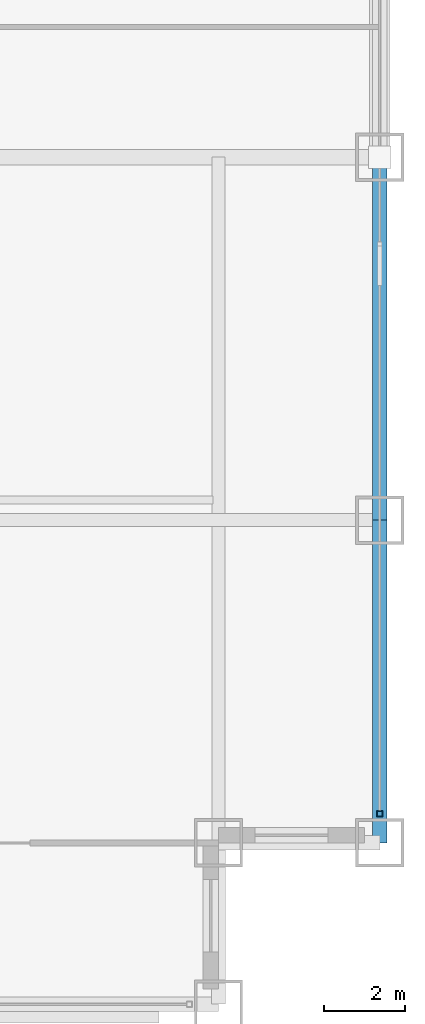
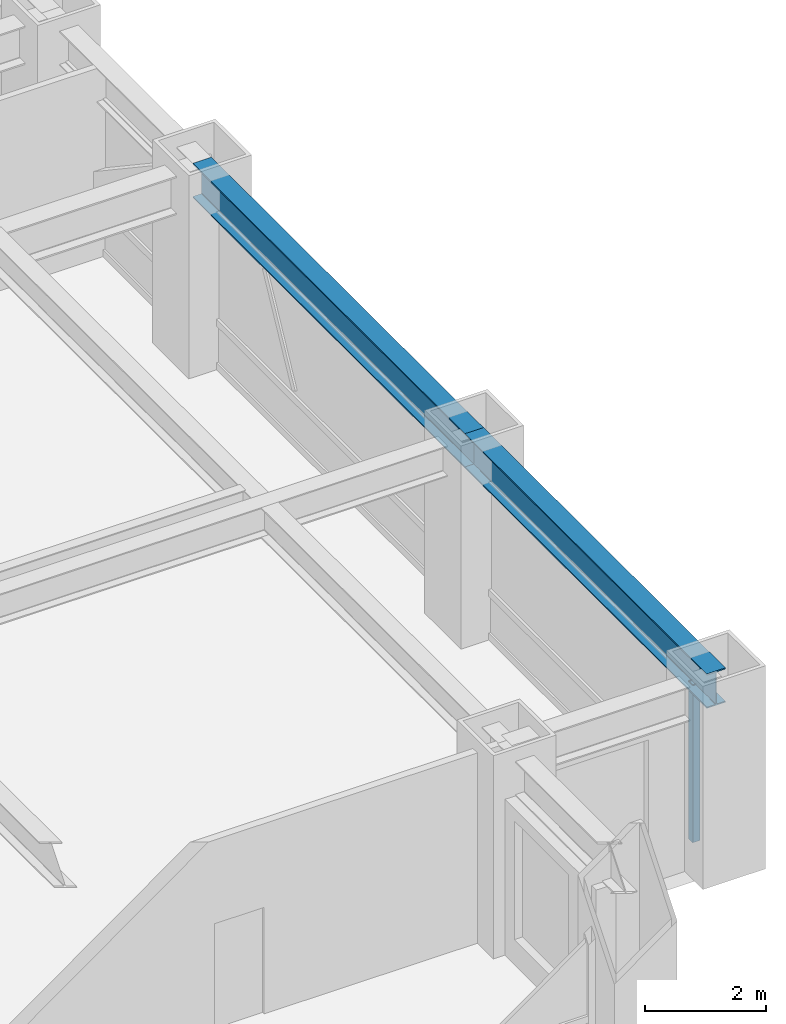
# One storey, part 12 of 32: 2 beams, 1 member, 1 element without a shape of its own.
"""IFC4 building model written with IfcOpenShell, lengths in metres."""

import ifcopenshell
import ifcopenshell.guid

model = None  # the IFC model being written
_history = None  # IfcOwnerHistory: only IFC2X3 demands one
_inside = {}  # id of a spatial element -> (the spatial element, [elements in it])
_under = {}  # id of a project, library or spatial element -> (it, [spatial elements below it])
_declared = {}  # id of a project -> (the project, [libraries it declares])
_typed = {}  # id of a type object -> (the type object, [elements of that type])
_made_of = {}  # id of a material, layer set ... -> (it, [elements and type objects made of it])


def new_model(schema):
    """Start an empty IFC model of exactly this schema.

    Asked for "IFC4X3", IfcOpenShell would pick the latest addendum, in which some entities
    have other attributes; the version numbers below select the first issue.
    IFC2X3 requires an IfcOwnerHistory on every rooted entity: one is made here for all.
    """
    global model, _history
    if schema == "IFC4X3":
        model = ifcopenshell.file(schema_version=(4, 3, 0, 0))
    else:
        model = ifcopenshell.file(schema=schema)
    _inside.clear()
    _under.clear()
    _declared.clear()
    _typed.clear()
    _made_of.clear()
    _history = None
    if model.schema == "IFC2X3":
        org = make("IfcOrganization", Name="unknown")
        user = make(
            "IfcPersonAndOrganization",
            ThePerson=make("IfcPerson", FamilyName="unknown"),
            TheOrganization=org,
        )
        app = make(
            "IfcApplication",
            ApplicationDeveloper=org,
            Version="unknown",
            ApplicationFullName="unknown",
            ApplicationIdentifier="unknown",
        )
        _history = make(
            "IfcOwnerHistory",
            OwningUser=user,
            OwningApplication=app,
            ChangeAction="ADDED",
            CreationDate=0,
        )
    return model


def make(cls, **values):
    """One entity of the class cls with the attributes given. An attribute that is None is left unset."""
    return model.create_entity(
        cls, **{name: value for name, value in values.items() if value is not None}
    )


def rooted(cls, **values):
    """An entity with a GlobalId (a new one), such as an element, a storey or a relation."""
    return make(cls, GlobalId=ifcopenshell.guid.new(), OwnerHistory=_history, **values)


def si_unit(unit_type, name, prefix=None):
    """IfcSIUnit, for example si_unit("LENGTHUNIT", "METRE", prefix="MILLI")."""
    return make("IfcSIUnit", UnitType=unit_type, Prefix=prefix, Name=name)


def assignment(units):
    """IfcUnitAssignment: the units of a project."""
    return None if units is None else make("IfcUnitAssignment", Units=units)


def point(xyz):
    """IfcCartesianPoint."""
    return None if xyz is None else make("IfcCartesianPoint", Coordinates=xyz)


def direction(xyz):
    """IfcDirection."""
    return None if xyz is None else make("IfcDirection", DirectionRatios=xyz)


def frame(location, z_axis=None, x_axis=None):
    """IfcAxis2Placement3D, a coordinate frame: its origin and axes. An axis left out is left unset."""
    return make(
        "IfcAxis2Placement3D",
        Location=point(location),
        Axis=direction(z_axis),
        RefDirection=direction(x_axis),
    )


def frame_2d(location, x_axis=None):
    """IfcAxis2Placement2D, a coordinate frame in the plane: its origin and x axis."""
    return make(
        "IfcAxis2Placement2D", Location=point(location), RefDirection=direction(x_axis)
    )


def origin():
    """The frame at (0, 0, 0) with its axes left unset."""
    return frame((0.0, 0.0, 0.0))


def origin_2d():
    """The frame at (0, 0) in the plane with its x axis left unset."""
    return frame_2d((0.0, 0.0))


def place(relative_to, where):
    """IfcLocalPlacement: puts the frame where relative to a parent placement (None: the world)."""
    return make(
        "IfcLocalPlacement", PlacementRelTo=relative_to, RelativePlacement=where
    )


def context(
    kind, dimensions, precision=None, world=None, true_north=None, identifier=None
):
    """IfcGeometricRepresentationContext, for example the 3D "Model" context."""
    return make(
        "IfcGeometricRepresentationContext",
        ContextIdentifier=identifier,
        ContextType=kind,
        CoordinateSpaceDimension=dimensions,
        Precision=precision,
        WorldCoordinateSystem=world,
        TrueNorth=true_north,
    )


def subcontext(parent, identifier, kind, view, scale=None):
    """IfcGeometricRepresentationSubContext, for example "Body" below "Model"."""
    return make(
        "IfcGeometricRepresentationSubContext",
        ContextIdentifier=identifier,
        ContextType=kind,
        ParentContext=parent,
        TargetScale=scale,
        TargetView=view,
    )


def project(units=None, contexts=None):
    """IfcProject with its units and contexts."""
    return rooted(
        "IfcProject",
        Name="project",
        RepresentationContexts=contexts,
        UnitsInContext=assignment(units),
    )


def spatial(cls, under=None, at=None, **own):
    """A site, building, storey or space (cls), placed at a placement, below another one or the project."""
    s = rooted(cls, ObjectPlacement=at, **own)
    if under is not None:
        _under.setdefault(under.id(), (under, []))[1].append(s)
    return s


def profile(cls, at=None, kind="AREA", **sizes):
    """A parametric profile (cls). Its sizes go by their IFC names, for example OverallWidth=200.0."""
    return make(cls, ProfileType=kind, Position=at, **sizes)


def hollow_rectangle(**sizes):
    """IfcRectangleHollowProfileDef."""
    return profile("IfcRectangleHollowProfileDef", **sizes)


def i_section(**sizes):
    """IfcIShapeProfileDef."""
    return profile("IfcIShapeProfileDef", **sizes)


def extrude(swept, where, along, depth):
    """IfcExtrudedAreaSolid: the profile swept, set in the frame where, extruded along a direction by depth."""
    return make(
        "IfcExtrudedAreaSolid",
        SweptArea=swept,
        Position=where,
        ExtrudedDirection=direction(along),
        Depth=depth,
    )


def shape(context_of_items, identifier, shape_type, items):
    """IfcShapeRepresentation: the items that make up one representation, for example the "Body"."""
    return make(
        "IfcShapeRepresentation",
        ContextOfItems=context_of_items,
        RepresentationIdentifier=identifier,
        RepresentationType=shape_type,
        Items=items,
    )


def source(mapping_origin, context_of_items, identifier, shape_type, items):
    """IfcRepresentationMap: a shape defined once, which mapped items show again and again."""
    return make(
        "IfcRepresentationMap",
        MappingOrigin=mapping_origin,
        MappedRepresentation=shape(context_of_items, identifier, shape_type, items),
    )


def transform(
    local_origin,
    x_axis=None,
    y_axis=None,
    z_axis=None,
    scale=None,
    scale2=None,
    scale3=None,
    uniform=True,
):
    """IfcCartesianTransformationOperator3D, or its non-uniform kind. x_axis, y_axis, z_axis: its Axis1, 2, 3."""
    if uniform:
        return make(
            "IfcCartesianTransformationOperator3D",
            Axis1=direction(x_axis),
            Axis2=direction(y_axis),
            LocalOrigin=point(local_origin),
            Scale=scale,
            Axis3=direction(z_axis),
        )
    return make(
        "IfcCartesianTransformationOperator3DnonUniform",
        Axis1=direction(x_axis),
        Axis2=direction(y_axis),
        LocalOrigin=point(local_origin),
        Scale=scale,
        Axis3=direction(z_axis),
        Scale2=scale2,
        Scale3=scale3,
    )


def mapped(mapping_source, mapping_target):
    """IfcMappedItem: shows the shape of a source again, moved by a transform."""
    return make(
        "IfcMappedItem", MappingSource=mapping_source, MappingTarget=mapping_target
    )


def material(Name=None, Category=None):
    """IfcMaterial."""
    return make("IfcMaterial", Name=Name, Category=Category)


def material_profile(
    of_material, cross_section, Name=None, Category=None, Priority=None
):
    """IfcMaterialProfile: a cross section and its material."""
    return make(
        "IfcMaterialProfile",
        Name=Name,
        Material=of_material,
        Profile=cross_section,
        Priority=Priority,
        Category=Category,
    )


def profile_set(profiles, Name=None, composite=None):
    """IfcMaterialProfileSet."""
    return make(
        "IfcMaterialProfileSet",
        Name=Name,
        MaterialProfiles=profiles,
        CompositeProfile=composite,
    )


def made_of(thing, what):
    """Note that an element or type object is made of a material, layer set ...; save() writes the relation."""
    if what is not None:
        _made_of.setdefault(what.id(), (what, []))[1].append(thing)
    return thing


def type_object(cls, material=None, **own):
    """A type object (cls), such as IfcWallType, which elements share."""
    return made_of(rooted(cls, **own), material)


def element(
    cls,
    number,
    at=None,
    inside=None,
    cuts=None,
    type_object=None,
    material=None,
    context=None,
    identifier="Body",
    shape_type=None,
    held_by="IfcProductDefinitionShape",
    body=None,
    shapes=None,
    **own,
):
    """One element of the class cls, such as IfcWall. Its Tag is "e" and its number.

    at: its placement. inside: the storey or other place that contains it. cuts: it is an
    opening in that element (IfcRelVoidsElement). A single representation is given by context,
    identifier, shape_type and body (its items); several are given by shapes. held_by: the class
    of the entity that holds the representations. save() writes the other relations.
    """
    e = rooted(cls, Tag="e%d" % number, ObjectPlacement=at, **own)
    if body is not None:
        shapes = [shape(context, identifier, shape_type, body)]
    if shapes is not None:
        e.Representation = make(held_by, Representations=shapes)
    if inside is not None:
        _inside.setdefault(inside.id(), (inside, []))[1].append(e)
    if cuts is not None:
        rooted(
            "IfcRelVoidsElement", RelatingBuildingElement=cuts, RelatedOpeningElement=e
        )
    if type_object is not None:
        _typed.setdefault(type_object.id(), (type_object, []))[1].append(e)
    return made_of(e, material)


def aggregate(whole, parts):
    """IfcRelAggregates: a whole, such as a stair, and the parts it consists of."""
    return rooted("IfcRelAggregates", RelatingObject=whole, RelatedObjects=parts)


def save(model, path):
    """Write the relations noted so far, then the file.

    IfcRelAggregates (storeys below a building ...), IfcRelContainedInSpatialStructure (elements
    in a storey), IfcRelDefinesByType, IfcRelAssociatesMaterial and IfcRelDeclares: one each for
    every whole, place, type object, material and project.
    """
    for whole, parts in _under.values():
        aggregate(whole, parts)
    for where, things in _inside.values():
        rooted(
            "IfcRelContainedInSpatialStructure",
            RelatedElements=things,
            RelatingStructure=where,
        )
    for kind, things in _typed.values():
        rooted("IfcRelDefinesByType", RelatedObjects=things, RelatingType=kind)
    for what, things in _made_of.values():
        rooted("IfcRelAssociatesMaterial", RelatedObjects=things, RelatingMaterial=what)
    for by, libraries in _declared.values():
        rooted("IfcRelDeclares", RelatingContext=by, RelatedDefinitions=libraries)
    model.write(path)


model = new_model("IFC4")

# Units and contexts
model_context = context("Model", 3, precision=1e-05, world=origin(), true_north=direction((0.0, 1.0)))
body_context = subcontext(model_context, "Body", "Model", "MODEL_VIEW")
ifc_project = project(units=[si_unit("LENGTHUNIT", "METRE"), si_unit("AREAUNIT", "SQUARE_METRE"), si_unit("VOLUMEUNIT", "CUBIC_METRE"), si_unit("PLANEANGLEUNIT", "RADIAN"), si_unit("MASSUNIT", "GRAM", prefix="KILO")], contexts=[model_context])

# Site, building, storey
site_placement = place(None, origin())
site = spatial("IfcSite", under=ifc_project, at=site_placement, CompositionType="ELEMENT")
building_placement = place(site_placement, origin())
building = spatial("IfcBuilding", under=site, at=building_placement, Name="Khorayat Bourse Tower", CompositionType="ELEMENT")
storey_placement = place(building_placement, frame((0.0, 0.0, 99.60009765625)))
storey = spatial("IfcBuildingStorey", under=building, at=storey_placement, Name="L22", CompositionType="ELEMENT", Elevation=99.60009765625)

# Beams
ifc_material_1 = material(Name="Steel ASTM A992 Grade 50", Category="steel")
ifc_material_profile_1 = material_profile(ifc_material_1, i_section(OverallWidth=0.35498046875, OverallDepth=0.695068359375, WebThickness=0.015380859375, FlangeThickness=0.02490234375, FilletRadius=0.01806640625, at=origin_2d()), Name="W690X217")
ifc_profile_set_1 = profile_set([ifc_material_profile_1], Name="Steel ASTM A992 Grade 50")
beam_type = type_object("IfcBeamType", Name="BM-SPAN-690", PredefinedType="SPANDREL", material=ifc_profile_set_1)
shared_shape_1 = source(origin(), body_context, "Body", "SweptSolid", [
    extrude(i_section(OverallWidth=0.35498046875, OverallDepth=0.695068359375, WebThickness=0.015380859375, FlangeThickness=0.02490234375, FilletRadius=0.01806640625, at=origin_2d()), origin(), (0.0, 0.0, 1.0), 9.0),
])
beam_1_placement = place(storey_placement, frame((32.0, -20.0, 3.492431640625), z_axis=(0.0, 1.0, 0.0), x_axis=(-1.0, 0.0, 0.0)))
element("IfcBeam", 1, at=beam_1_placement, inside=storey, type_object=beam_type, Name="L22 BM-SPAN-690 BM-L22-SPN-035", PredefinedType="SPANDREL", context=body_context, shape_type="MappedRepresentation", body=[
    mapped(shared_shape_1, transform((0.0, 0.0, 0.0), scale=1.0)),
])
shared_shape_2 = source(origin(), body_context, "Body", "SweptSolid", [
    extrude(i_section(OverallWidth=0.35498046875, OverallDepth=0.695068359375, WebThickness=0.015380859375, FlangeThickness=0.02490234375, FilletRadius=0.01806640625, at=origin_2d()), origin(), (0.0, 0.0, 1.0), 8.0),
])
beam_2_placement = place(storey_placement, frame((32.0, -28.0, 3.492431640625), z_axis=(0.0, 1.0, 0.0), x_axis=(-1.0, 0.0, 0.0)))
element("IfcBeam", 2, at=beam_2_placement, inside=storey, type_object=beam_type, Name="L22 BM-SPAN-690 BM-L22-SPN-034", PredefinedType="SPANDREL", context=body_context, shape_type="MappedRepresentation", body=[
    mapped(shared_shape_2, transform((0.0, 0.0, 0.0), scale=1.0)),
])

# Curtain wall, member
ifc_material_2 = material(Name="Aluminium EN AW-6063 T6", Category="aluminium")
curtain_wall_type = type_object("IfcCurtainWallType", Name="CW-SYS-02", PredefinedType="NOTDEFINED", material=ifc_material_2)
curtain_wall_placement = place(storey_placement, origin())
curtain_wall = element("IfcCurtainWall", 3, at=curtain_wall_placement, inside=storey, type_object=curtain_wall_type, Name="L22 Curtain Wall CW-L22-E1", PredefinedType="NOTDEFINED")
ifc_material_profile_2 = material_profile(ifc_material_2, hollow_rectangle(XDim=0.139892578125, YDim=0.139892578125, WallThickness=0.006103515625, at=origin_2d()), Name="ALU 140x140x6")
ifc_profile_set_2 = profile_set([ifc_material_profile_2], Name="Aluminium EN AW-6063 T6")
member_type = type_object("IfcMemberType", Name="CWM-VERT-140", PredefinedType="MULLION", material=ifc_profile_set_2)
shared_shape_3 = source(origin(), body_context, "Body", "SweptSolid", [
    extrude(hollow_rectangle(XDim=0.139892578125, YDim=0.139892578125, WallThickness=0.006103515625, at=origin_2d()), origin(), (0.0, 0.0, 1.0), 3.18994140625),
])
member_placement = place(storey_placement, frame((32.0, -27.280029296875, 0.0), z_axis=(0.0, 0.0, 1.0), x_axis=(-1.0, 0.0, 0.0)))
member = element("IfcMember", 4, at=member_placement, type_object=member_type, Name="CW-L22-E1 Vertical Mullion 1", PredefinedType="MULLION", context=body_context, shape_type="MappedRepresentation", body=[
    mapped(shared_shape_3, transform((0.0, 0.0, 0.0), scale=1.0)),
])
aggregate(curtain_wall, [member])

save(model, "model.ifc")
